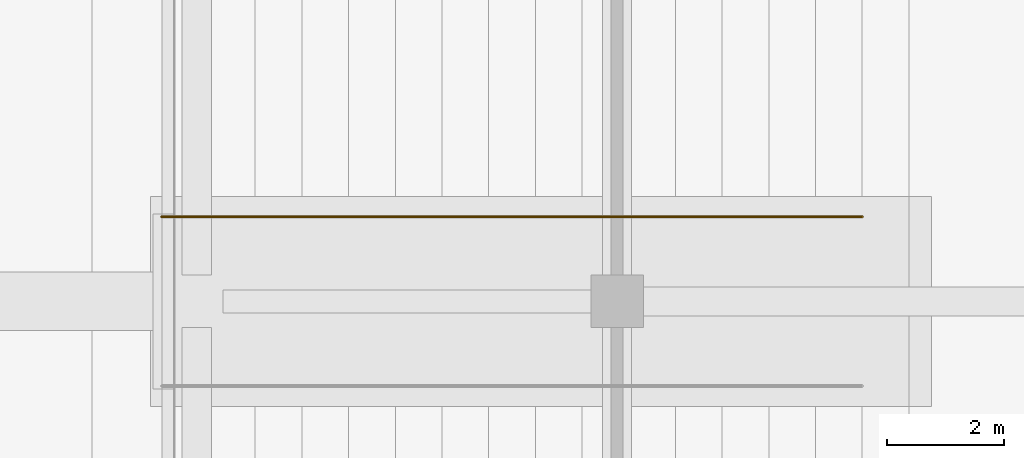
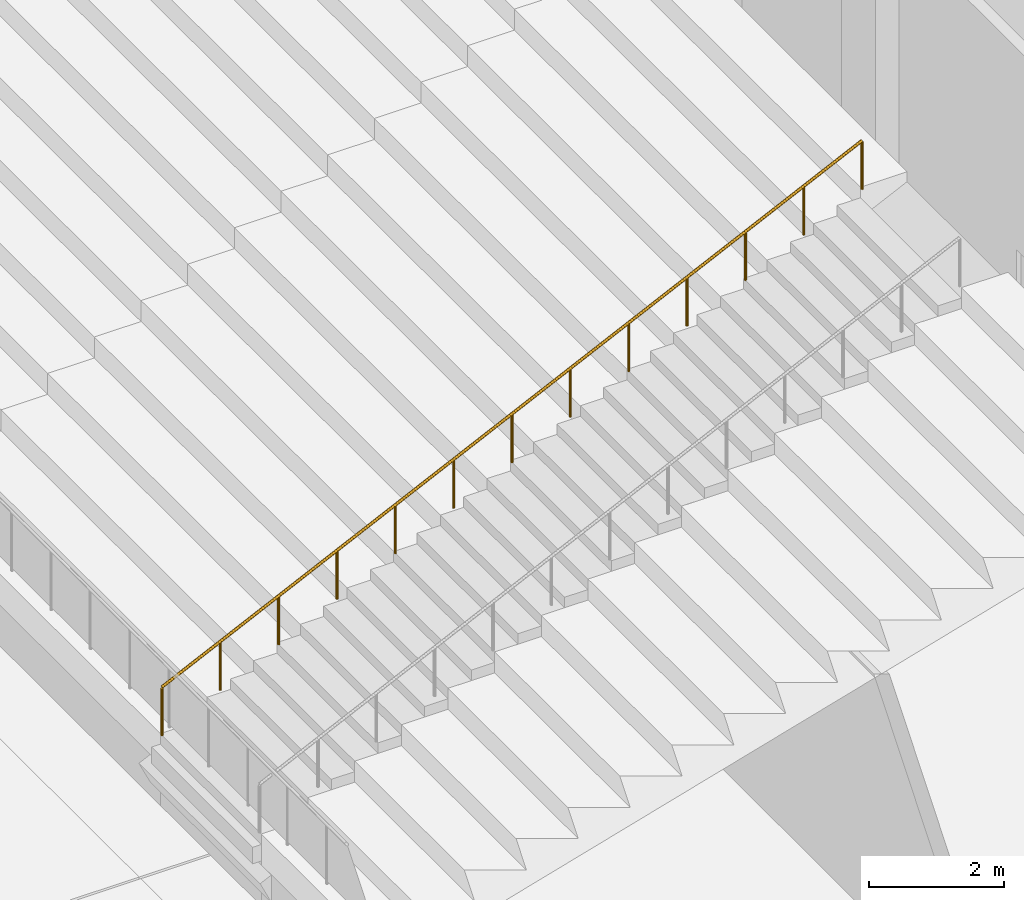
# One storey, part 77 of 92: 1 railing.
"""IFC4 building model written with IfcOpenShell, lengths in metres."""

from ifc_helpers import new_model, si_unit, direction, frame, origin, origin_2d, place, context, subcontext, project, spatial, circle, extrude, material, type_object, element, save


model = new_model("IFC4")

# Units and contexts
model_context = context("Model", 3, precision=1e-05, world=origin(), true_north=direction((0.0, 1.0)))
body_context = subcontext(model_context, "Body", "Model", "MODEL_VIEW")
ifc_project = project(units=[si_unit("LENGTHUNIT", "METRE"), si_unit("AREAUNIT", "SQUARE_METRE"), si_unit("VOLUMEUNIT", "CUBIC_METRE"), si_unit("PLANEANGLEUNIT", "RADIAN"), si_unit("MASSUNIT", "GRAM", prefix="KILO")], contexts=[model_context])

# Site, building, storey
site_placement = place(None, origin())
site = spatial("IfcSite", under=ifc_project, at=site_placement, CompositionType="ELEMENT")
building_placement = place(site_placement, origin())
building = spatial("IfcBuilding", under=site, at=building_placement, Name="Silverbay Arena", CompositionType="ELEMENT")
storey_placement = place(building_placement, origin())
storey = spatial("IfcBuildingStorey", under=building, at=storey_placement, Name="L00", CompositionType="ELEMENT", Elevation=0.0)

# Railing
ifc_material = material(Name="Stainless steel", Category="steel")
railing_type = type_object("IfcRailingType", Name="Stair handrail 900", PredefinedType="HANDRAIL", material=ifc_material)
railing_placement = place(storey_placement, frame((163.199951171875, 82.449951171875, 1.300048828125)))
element("IfcRailing", 1, at=railing_placement, inside=storey, type_object=railing_type, Name="Vomitory stair V11 handrail right", PredefinedType="HANDRAIL", context=body_context, shape_type="SweptSolid", body=[
    extrude(circle(Radius=0.02392578125, at=origin_2d()), frame((0.0, 0.0, 0.8759765625), z_axis=(0.903278928798, 0.0, 0.429053815727), x_axis=(0.0, 1.0, 0.0)), (0.0, 0.0, 1.0), 13.284912109375),
    extrude(circle(Radius=0.02099609375, at=origin_2d()), origin(), (0.0, 0.0, 1.0), 0.851806640625),
    extrude(circle(Radius=0.02099609375, at=origin_2d()), frame((1.0, 0.0, 0.47509765625)), (0.0, 0.0, 1.0), 0.851806640625),
    extrude(circle(Radius=0.02099609375, at=origin_2d()), frame((2.0, 0.0, 0.949951171875)), (0.0, 0.0, 1.0), 0.851806640625),
    extrude(circle(Radius=0.02099609375, at=origin_2d()), frame((3.0, 0.0, 1.425048828125)), (0.0, 0.0, 1.0), 0.851806640625),
    extrude(circle(Radius=0.02099609375, at=origin_2d()), frame((4.0, 0.0, 1.89990234375)), (0.0, 0.0, 1.0), 0.851806640625),
    extrude(circle(Radius=0.02099609375, at=origin_2d()), frame((5.0, 0.0, 2.375)), (0.0, 0.0, 1.0), 0.851806640625),
    extrude(circle(Radius=0.02099609375, at=origin_2d()), frame((6.0, 0.0, 2.85009765625)), (0.0, 0.0, 1.0), 0.851806640625),
    extrude(circle(Radius=0.02099609375, at=origin_2d()), frame((7.0, 0.0, 3.324951171875)), (0.0, 0.0, 1.0), 0.851806640625),
    extrude(circle(Radius=0.02099609375, at=origin_2d()), frame((8.0, 0.0, 3.800048828125)), (0.0, 0.0, 1.0), 0.851806640625),
    extrude(circle(Radius=0.02099609375, at=origin_2d()), frame((9.0, 0.0, 4.27490234375)), (0.0, 0.0, 1.0), 0.851806640625),
    extrude(circle(Radius=0.02099609375, at=origin_2d()), frame((10.0, 0.0, 4.75)), (0.0, 0.0, 1.0), 0.851806640625),
    extrude(circle(Radius=0.02099609375, at=origin_2d()), frame((11.0, 0.0, 5.224853515625)), (0.0, 0.0, 1.0), 0.851806640625),
    extrude(circle(Radius=0.02099609375, at=origin_2d()), frame((12.0, 0.0, 5.699951171875)), (0.0, 0.0, 1.0), 0.851806640625),
])

save(model, "model.ifc")
